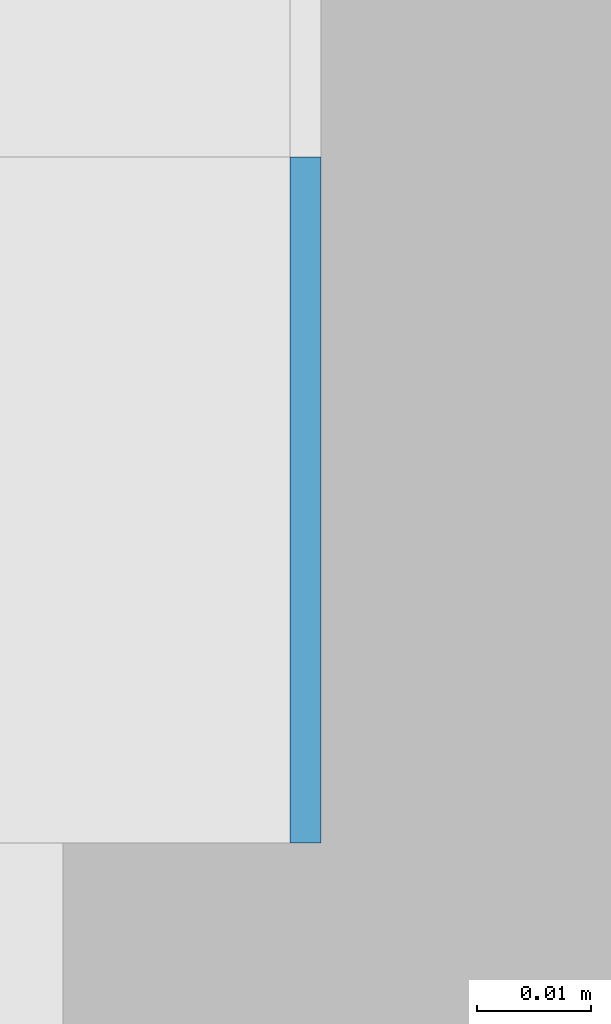
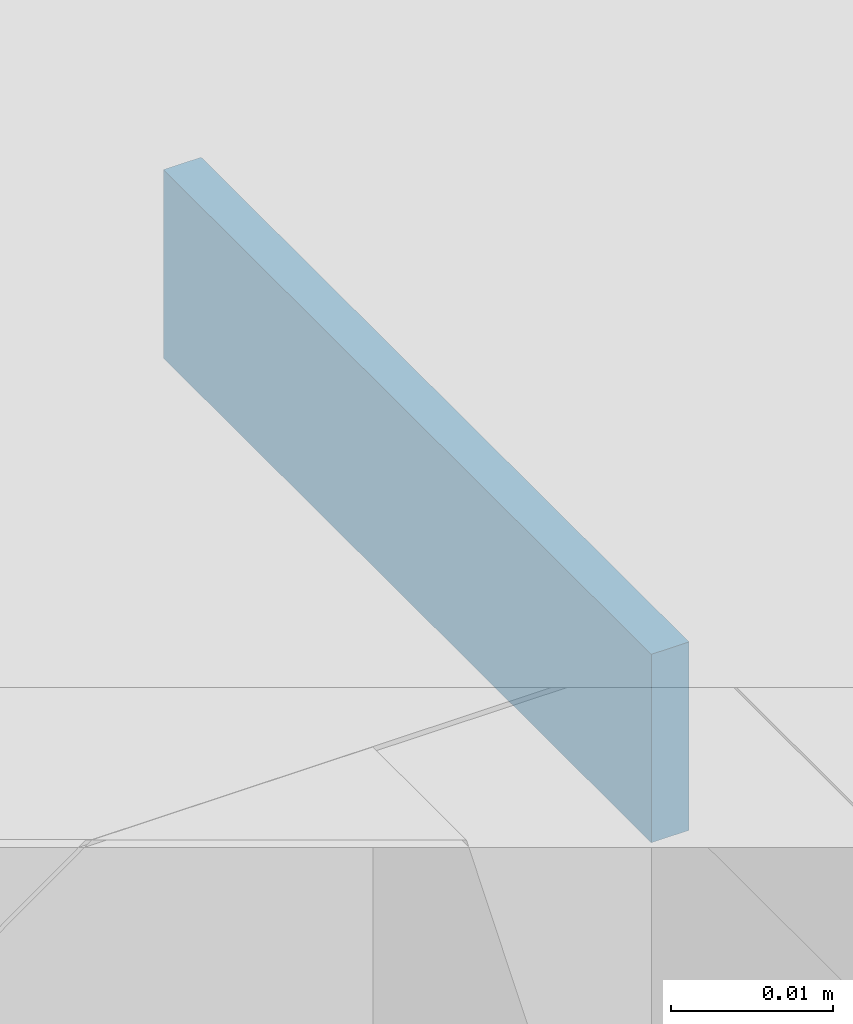
# One storey, part 251 of 646: 1 discrete accessory.
"""IFC4 building model written with IfcOpenShell, lengths in metres."""

import ifcopenshell
import ifcopenshell.guid

model = None  # the IFC model being written
_history = None  # IfcOwnerHistory: only IFC2X3 demands one
_inside = {}  # id of a spatial element -> (the spatial element, [elements in it])
_under = {}  # id of a project, library or spatial element -> (it, [spatial elements below it])
_declared = {}  # id of a project -> (the project, [libraries it declares])
_typed = {}  # id of a type object -> (the type object, [elements of that type])
_made_of = {}  # id of a material, layer set ... -> (it, [elements and type objects made of it])


def new_model(schema):
    """Start an empty IFC model of exactly this schema.

    Asked for "IFC4X3", IfcOpenShell would pick the latest addendum, in which some entities
    have other attributes; the version numbers below select the first issue.
    IFC2X3 requires an IfcOwnerHistory on every rooted entity: one is made here for all.
    """
    global model, _history
    if schema == "IFC4X3":
        model = ifcopenshell.file(schema_version=(4, 3, 0, 0))
    else:
        model = ifcopenshell.file(schema=schema)
    _inside.clear()
    _under.clear()
    _declared.clear()
    _typed.clear()
    _made_of.clear()
    _history = None
    if model.schema == "IFC2X3":
        org = make("IfcOrganization", Name="unknown")
        user = make(
            "IfcPersonAndOrganization",
            ThePerson=make("IfcPerson", FamilyName="unknown"),
            TheOrganization=org,
        )
        app = make(
            "IfcApplication",
            ApplicationDeveloper=org,
            Version="unknown",
            ApplicationFullName="unknown",
            ApplicationIdentifier="unknown",
        )
        _history = make(
            "IfcOwnerHistory",
            OwningUser=user,
            OwningApplication=app,
            ChangeAction="ADDED",
            CreationDate=0,
        )
    return model


def make(cls, **values):
    """One entity of the class cls with the attributes given. An attribute that is None is left unset."""
    return model.create_entity(
        cls, **{name: value for name, value in values.items() if value is not None}
    )


def rooted(cls, **values):
    """An entity with a GlobalId (a new one), such as an element, a storey or a relation."""
    return make(cls, GlobalId=ifcopenshell.guid.new(), OwnerHistory=_history, **values)


def si_unit(unit_type, name, prefix=None):
    """IfcSIUnit, for example si_unit("LENGTHUNIT", "METRE", prefix="MILLI")."""
    return make("IfcSIUnit", UnitType=unit_type, Prefix=prefix, Name=name)


def assignment(units):
    """IfcUnitAssignment: the units of a project."""
    return None if units is None else make("IfcUnitAssignment", Units=units)


def point(xyz):
    """IfcCartesianPoint."""
    return None if xyz is None else make("IfcCartesianPoint", Coordinates=xyz)


def direction(xyz):
    """IfcDirection."""
    return None if xyz is None else make("IfcDirection", DirectionRatios=xyz)


def frame(location, z_axis=None, x_axis=None):
    """IfcAxis2Placement3D, a coordinate frame: its origin and axes. An axis left out is left unset."""
    return make(
        "IfcAxis2Placement3D",
        Location=point(location),
        Axis=direction(z_axis),
        RefDirection=direction(x_axis),
    )


def frame_2d(location, x_axis=None):
    """IfcAxis2Placement2D, a coordinate frame in the plane: its origin and x axis."""
    return make(
        "IfcAxis2Placement2D", Location=point(location), RefDirection=direction(x_axis)
    )


def origin():
    """The frame at (0, 0, 0) with its axes left unset."""
    return frame((0.0, 0.0, 0.0))


def origin_2d():
    """The frame at (0, 0) in the plane with its x axis left unset."""
    return frame_2d((0.0, 0.0))


def place(relative_to, where):
    """IfcLocalPlacement: puts the frame where relative to a parent placement (None: the world)."""
    return make(
        "IfcLocalPlacement", PlacementRelTo=relative_to, RelativePlacement=where
    )


def context(
    kind, dimensions, precision=None, world=None, true_north=None, identifier=None
):
    """IfcGeometricRepresentationContext, for example the 3D "Model" context."""
    return make(
        "IfcGeometricRepresentationContext",
        ContextIdentifier=identifier,
        ContextType=kind,
        CoordinateSpaceDimension=dimensions,
        Precision=precision,
        WorldCoordinateSystem=world,
        TrueNorth=true_north,
    )


def subcontext(parent, identifier, kind, view, scale=None):
    """IfcGeometricRepresentationSubContext, for example "Body" below "Model"."""
    return make(
        "IfcGeometricRepresentationSubContext",
        ContextIdentifier=identifier,
        ContextType=kind,
        ParentContext=parent,
        TargetScale=scale,
        TargetView=view,
    )


def project(units=None, contexts=None):
    """IfcProject with its units and contexts."""
    return rooted(
        "IfcProject",
        Name="project",
        RepresentationContexts=contexts,
        UnitsInContext=assignment(units),
    )


def spatial(cls, under=None, at=None, **own):
    """A site, building, storey or space (cls), placed at a placement, below another one or the project."""
    s = rooted(cls, ObjectPlacement=at, **own)
    if under is not None:
        _under.setdefault(under.id(), (under, []))[1].append(s)
    return s


def profile(cls, at=None, kind="AREA", **sizes):
    """A parametric profile (cls). Its sizes go by their IFC names, for example OverallWidth=200.0."""
    return make(cls, ProfileType=kind, Position=at, **sizes)


def rectangle(**sizes):
    """IfcRectangleProfileDef."""
    return profile("IfcRectangleProfileDef", **sizes)


def extrude(swept, where, along, depth):
    """IfcExtrudedAreaSolid: the profile swept, set in the frame where, extruded along a direction by depth."""
    return make(
        "IfcExtrudedAreaSolid",
        SweptArea=swept,
        Position=where,
        ExtrudedDirection=direction(along),
        Depth=depth,
    )


def shape(context_of_items, identifier, shape_type, items):
    """IfcShapeRepresentation: the items that make up one representation, for example the "Body"."""
    return make(
        "IfcShapeRepresentation",
        ContextOfItems=context_of_items,
        RepresentationIdentifier=identifier,
        RepresentationType=shape_type,
        Items=items,
    )


def material(Name=None, Category=None):
    """IfcMaterial."""
    return make("IfcMaterial", Name=Name, Category=Category)


def made_of(thing, what):
    """Note that an element or type object is made of a material, layer set ...; save() writes the relation."""
    if what is not None:
        _made_of.setdefault(what.id(), (what, []))[1].append(thing)
    return thing


def type_object(cls, material=None, **own):
    """A type object (cls), such as IfcWallType, which elements share."""
    return made_of(rooted(cls, **own), material)


def element(
    cls,
    number,
    at=None,
    inside=None,
    cuts=None,
    type_object=None,
    material=None,
    context=None,
    identifier="Body",
    shape_type=None,
    held_by="IfcProductDefinitionShape",
    body=None,
    shapes=None,
    **own,
):
    """One element of the class cls, such as IfcWall. Its Tag is "e" and its number.

    at: its placement. inside: the storey or other place that contains it. cuts: it is an
    opening in that element (IfcRelVoidsElement). A single representation is given by context,
    identifier, shape_type and body (its items); several are given by shapes. held_by: the class
    of the entity that holds the representations. save() writes the other relations.
    """
    e = rooted(cls, Tag="e%d" % number, ObjectPlacement=at, **own)
    if body is not None:
        shapes = [shape(context, identifier, shape_type, body)]
    if shapes is not None:
        e.Representation = make(held_by, Representations=shapes)
    if inside is not None:
        _inside.setdefault(inside.id(), (inside, []))[1].append(e)
    if cuts is not None:
        rooted(
            "IfcRelVoidsElement", RelatingBuildingElement=cuts, RelatedOpeningElement=e
        )
    if type_object is not None:
        _typed.setdefault(type_object.id(), (type_object, []))[1].append(e)
    return made_of(e, material)


def aggregate(whole, parts):
    """IfcRelAggregates: a whole, such as a stair, and the parts it consists of."""
    return rooted("IfcRelAggregates", RelatingObject=whole, RelatedObjects=parts)


def save(model, path):
    """Write the relations noted so far, then the file.

    IfcRelAggregates (storeys below a building ...), IfcRelContainedInSpatialStructure (elements
    in a storey), IfcRelDefinesByType, IfcRelAssociatesMaterial and IfcRelDeclares: one each for
    every whole, place, type object, material and project.
    """
    for whole, parts in _under.values():
        aggregate(whole, parts)
    for where, things in _inside.values():
        rooted(
            "IfcRelContainedInSpatialStructure",
            RelatedElements=things,
            RelatingStructure=where,
        )
    for kind, things in _typed.values():
        rooted("IfcRelDefinesByType", RelatedObjects=things, RelatingType=kind)
    for what, things in _made_of.values():
        rooted("IfcRelAssociatesMaterial", RelatedObjects=things, RelatingMaterial=what)
    for by, libraries in _declared.values():
        rooted("IfcRelDeclares", RelatingContext=by, RelatedDefinitions=libraries)
    model.write(path)


model = new_model("IFC4")

# Units and contexts
model_context = context("Model", 3, precision=1e-05, world=origin(), true_north=direction((0.0, 1.0)))
body_context = subcontext(model_context, "Body", "Model", "MODEL_VIEW")
ifc_project = project(units=[si_unit("LENGTHUNIT", "METRE"), si_unit("AREAUNIT", "SQUARE_METRE"), si_unit("VOLUMEUNIT", "CUBIC_METRE"), si_unit("PLANEANGLEUNIT", "RADIAN"), si_unit("MASSUNIT", "GRAM", prefix="KILO")], contexts=[model_context])

# Site, building, storey
site_placement = place(None, origin())
site = spatial("IfcSite", under=ifc_project, at=site_placement, CompositionType="ELEMENT")
building_placement = place(site_placement, origin())
building = spatial("IfcBuilding", under=site, at=building_placement, Name="Silverbay Arena", CompositionType="ELEMENT")
storey_placement = place(building_placement, frame((0.0, 0.0, 33.5)))
storey = spatial("IfcBuildingStorey", under=building, at=storey_placement, Name="L05", CompositionType="ELEMENT", Elevation=33.5)

# Discrete accessory
ifc_material = material(Name="Steel S355", Category="steel")
discrete_accessory_type = type_object("IfcDiscreteAccessoryType", Name="Steel bracket plate", PredefinedType="BRACKET", material=ifc_material)
discrete_accessory_placement = place(storey_placement, frame((53.871337890625, 35.969970703125, 12.98583984375), z_axis=(0.0, 0.0, 1.0), x_axis=(1.0, 0.0, 0.0)))
element("IfcDiscreteAccessory", 1, at=discrete_accessory_placement, inside=storey, type_object=discrete_accessory_type, Name="Curtain wall packing plate", PredefinedType="BRACKET", context=body_context, shape_type="SweptSolid", body=[
    extrude(rectangle(XDim=0.002685546875, YDim=0.06005859375, at=origin_2d()), origin(), (0.0, 0.0, 1.0), 0.01416015625),
])

save(model, "model.ifc")
